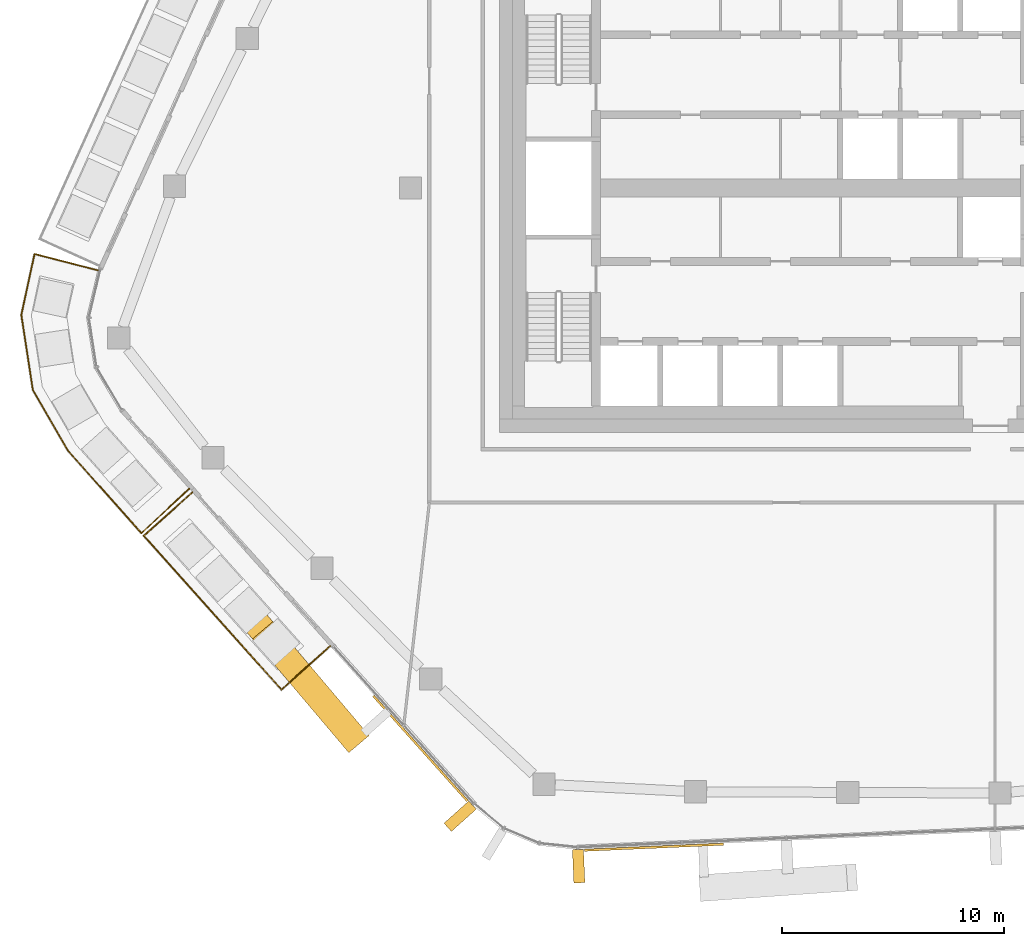
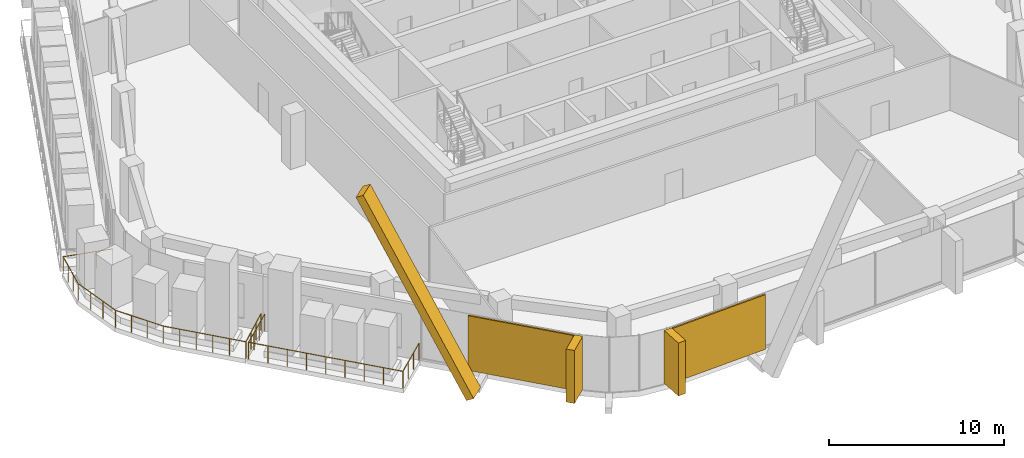
# One storey, part 17 of 23: 5 coverings, 2 railings, 2 elements without a shape of their own.
"""IFC4 building model written with IfcOpenShell, lengths in metres."""

from ifc_helpers import new_model, si_unit, direction, frame, origin, origin_2d, place, context, subcontext, project, spatial, rectangle, circle, extrude, material, layer, layer_set, material_profile, profile_set, type_object, element, aggregate, save


model = new_model("IFC4")

# Units and contexts
model_context = context("Model", 3, precision=1e-05, world=origin(), true_north=direction((0.0, 1.0)))
body_context = subcontext(model_context, "Body", "Model", "MODEL_VIEW")
ifc_project = project(units=[si_unit("LENGTHUNIT", "METRE"), si_unit("AREAUNIT", "SQUARE_METRE"), si_unit("VOLUMEUNIT", "CUBIC_METRE"), si_unit("PLANEANGLEUNIT", "RADIAN"), si_unit("MASSUNIT", "GRAM", prefix="KILO")], contexts=[model_context])

# Site, building, storey
site_placement = place(None, origin())
site = spatial("IfcSite", under=ifc_project, at=site_placement, CompositionType="ELEMENT")
building_placement = place(site_placement, origin())
building = spatial("IfcBuilding", under=site, at=building_placement, Name="Dongbaek Canopy Tower", CompositionType="ELEMENT")
storey_placement = place(building_placement, frame((0.0, 0.0, 327.800048828125)))
storey = spatial("IfcBuildingStorey", under=building, at=storey_placement, Name="L70", CompositionType="ELEMENT", Elevation=327.800048828125)

# Railings
ifc_material_1 = material(Name="Stainless steel", Category="steel")
railing_type = type_object("IfcRailingType", Name="Balcony balustrade 1200", PredefinedType="BALUSTRADE", material=ifc_material_1)
railing_1_placement = place(storey_placement, frame((-27.808349609375, -13.690673828125, 0.0)))
element("IfcRailing", 1, at=railing_1_placement, inside=storey, type_object=railing_type, Name="Balcony guard L70 3", PredefinedType="BALUSTRADE", context=body_context, shape_type="SweptSolid", body=[
    extrude(circle(Radius=0.02392578125, at=origin_2d()), frame((0.0, 0.0, 1.17578125), z_axis=(-0.745215250671, -0.666823987396, 0.0), x_axis=(0.666823987396, -0.745215250671, 0.0)), (0.0, 0.0, 1.0), 2.93994140625),
    extrude(circle(Radius=0.02392578125, at=origin_2d()), frame((-2.19091796875, -1.96044921875, 1.17578125), z_axis=(0.666887845842, -0.745158104745, 0.0), x_axis=(0.745158104745, 0.666887845842, 0.0)), (0.0, 0.0, 1.0), 9.285888671875),
    extrude(circle(Radius=0.02392578125, at=origin_2d()), frame((4.001708984375, -8.8798828125, 1.17578125), z_axis=(0.745178322448, 0.66686525457, 0.0), x_axis=(-0.66686525457, 0.745178322448, 0.0)), (0.0, 0.0, 1.0), 2.939697265625),
    extrude(circle(Radius=0.02099609375, at=origin_2d()), origin(), (0.0, 0.0, 1.0), 1.15185546875),
    extrude(circle(Radius=0.02099609375, at=origin_2d()), frame((-0.730224609375, -0.653564453125, 0.0)), (0.0, 0.0, 1.0), 1.15185546875),
    extrude(circle(Radius=0.02099609375, at=origin_2d()), frame((-1.460693359375, -1.306884765625, 0.0)), (0.0, 0.0, 1.0), 1.15185546875),
    extrude(circle(Radius=0.02099609375, at=origin_2d()), frame((-2.19091796875, -1.96044921875, 0.0)), (0.0, 0.0, 1.0), 1.15185546875),
    extrude(circle(Radius=0.02099609375, at=origin_2d()), frame((-1.416748046875, -2.825439453125, 0.0)), (0.0, 0.0, 1.0), 1.15185546875),
    extrude(circle(Radius=0.02099609375, at=origin_2d()), frame((-0.642822265625, -3.6904296875, 0.0)), (0.0, 0.0, 1.0), 1.15185546875),
    extrude(circle(Radius=0.02099609375, at=origin_2d()), frame((0.13134765625, -4.55517578125, 0.0)), (0.0, 0.0, 1.0), 1.15185546875),
    extrude(circle(Radius=0.02099609375, at=origin_2d()), frame((0.9052734375, -5.420166015625, 0.0)), (0.0, 0.0, 1.0), 1.15185546875),
    extrude(circle(Radius=0.02099609375, at=origin_2d()), frame((1.679443359375, -6.28515625, 0.0)), (0.0, 0.0, 1.0), 1.15185546875),
    extrude(circle(Radius=0.02099609375, at=origin_2d()), frame((2.45361328125, -7.14990234375, 0.0)), (0.0, 0.0, 1.0), 1.15185546875),
    extrude(circle(Radius=0.02099609375, at=origin_2d()), frame((3.2275390625, -8.014892578125, 0.0)), (0.0, 0.0, 1.0), 1.15185546875),
    extrude(circle(Radius=0.02099609375, at=origin_2d()), frame((4.001708984375, -8.8798828125, 0.0)), (0.0, 0.0, 1.0), 1.15185546875),
    extrude(circle(Radius=0.02099609375, at=origin_2d()), frame((4.73193359375, -8.226318359375, 0.0)), (0.0, 0.0, 1.0), 1.15185546875),
    extrude(circle(Radius=0.02099609375, at=origin_2d()), frame((5.462158203125, -7.572998046875, 0.0)), (0.0, 0.0, 1.0), 1.15185546875),
    extrude(circle(Radius=0.02099609375, at=origin_2d()), frame((6.1923828125, -6.91943359375, 0.0)), (0.0, 0.0, 1.0), 1.15185546875),
])
railing_2_placement = place(storey_placement, frame((-32.072509765625, -3.699951171875, 0.0)))
element("IfcRailing", 2, at=railing_2_placement, inside=storey, type_object=railing_type, Name="Balcony guard L70 6", PredefinedType="BALUSTRADE", context=body_context, shape_type="SweptSolid", body=[
    extrude(circle(Radius=0.02392578125, at=origin_2d()), frame((0.0, 0.0, 1.17578125), z_axis=(-0.968228057387, 0.250068848298, 0.0), x_axis=(-0.250068848298, -0.968228057387, 0.0)), (0.0, 0.0, 1.0), 2.940673828125),
    extrude(circle(Radius=0.02392578125, at=origin_2d()), frame((-2.84716796875, 0.7353515625, 1.17578125), z_axis=(-0.211422576538, -0.977394748364, 0.0), x_axis=(0.977394748364, -0.211422576538, 0.0)), (0.0, 0.0, 1.0), 2.808349609375),
    extrude(circle(Radius=0.02392578125, at=origin_2d()), frame((-3.44091796875, -2.009521484375, 1.17578125), z_axis=(0.152046456117, -0.988373348074, 0.0), x_axis=(0.988373348074, 0.152046456117, 0.0)), (0.0, 0.0, 1.0), 3.420166015625),
    extrude(circle(Radius=0.02392578125, at=origin_2d()), frame((-2.9208984375, -5.389892578125, 1.17578125), z_axis=(0.500895295026, -0.865507887556, 0.0), x_axis=(0.865507887556, 0.500895295026, 0.0)), (0.0, 0.0, 1.0), 3.140380859375),
    extrude(circle(Radius=0.02392578125, at=origin_2d()), frame((-1.347900390625, -8.10791015625, 1.17578125), z_axis=(0.664825724778, -0.746998497772, 0.0), x_axis=(0.746998497772, 0.664825724778, 0.0)), (0.0, 0.0, 1.0), 4.9853515625),
    extrude(circle(Radius=0.02392578125, at=origin_2d()), frame((1.966552734375, -11.83203125, 1.17578125), z_axis=(0.731414069782, 0.681933617388, 0.0), x_axis=(-0.681933617388, 0.731414069782, 0.0)), (0.0, 0.0, 1.0), 2.940673828125),
    extrude(circle(Radius=0.02099609375, at=origin_2d()), origin(), (0.0, 0.0, 1.0), 1.15185546875),
    extrude(circle(Radius=0.02099609375, at=origin_2d()), frame((-0.948974609375, 0.2451171875, 0.0)), (0.0, 0.0, 1.0), 1.15185546875),
    extrude(circle(Radius=0.02099609375, at=origin_2d()), frame((-1.898193359375, 0.490234375, 0.0)), (0.0, 0.0, 1.0), 1.15185546875),
    extrude(circle(Radius=0.02099609375, at=origin_2d()), frame((-2.84716796875, 0.7353515625, 0.0)), (0.0, 0.0, 1.0), 1.15185546875),
    extrude(circle(Radius=0.02099609375, at=origin_2d()), frame((-3.045166015625, -0.1796875, 0.0)), (0.0, 0.0, 1.0), 1.15185546875),
    extrude(circle(Radius=0.02099609375, at=origin_2d()), frame((-3.242919921875, -1.094482421875, 0.0)), (0.0, 0.0, 1.0), 1.15185546875),
    extrude(circle(Radius=0.02099609375, at=origin_2d()), frame((-3.44091796875, -2.009521484375, 0.0)), (0.0, 0.0, 1.0), 1.15185546875),
    extrude(circle(Radius=0.02099609375, at=origin_2d()), frame((-3.267578125, -3.13623046875, 0.0)), (0.0, 0.0, 1.0), 1.15185546875),
    extrude(circle(Radius=0.02099609375, at=origin_2d()), frame((-3.09423828125, -4.26318359375, 0.0)), (0.0, 0.0, 1.0), 1.15185546875),
    extrude(circle(Radius=0.02099609375, at=origin_2d()), frame((-2.9208984375, -5.389892578125, 0.0)), (0.0, 0.0, 1.0), 1.15185546875),
    extrude(circle(Radius=0.02099609375, at=origin_2d()), frame((-2.396484375, -6.2958984375, 0.0)), (0.0, 0.0, 1.0), 1.15185546875),
    extrude(circle(Radius=0.02099609375, at=origin_2d()), frame((-1.872314453125, -7.201904296875, 0.0)), (0.0, 0.0, 1.0), 1.15185546875),
    extrude(circle(Radius=0.02099609375, at=origin_2d()), frame((-1.347900390625, -8.10791015625, 0.0)), (0.0, 0.0, 1.0), 1.15185546875),
    extrude(circle(Radius=0.02099609375, at=origin_2d()), frame((-0.68505859375, -8.852783203125, 0.0)), (0.0, 0.0, 1.0), 1.15185546875),
    extrude(circle(Radius=0.02099609375, at=origin_2d()), frame((-0.022216796875, -9.59765625, 0.0)), (0.0, 0.0, 1.0), 1.15185546875),
    extrude(circle(Radius=0.02099609375, at=origin_2d()), frame((0.640869140625, -10.34228515625, 0.0)), (0.0, 0.0, 1.0), 1.15185546875),
    extrude(circle(Radius=0.02099609375, at=origin_2d()), frame((1.3037109375, -11.087158203125, 0.0)), (0.0, 0.0, 1.0), 1.15185546875),
    extrude(circle(Radius=0.02099609375, at=origin_2d()), frame((1.966552734375, -11.83203125, 0.0)), (0.0, 0.0, 1.0), 1.15185546875),
    extrude(circle(Radius=0.02099609375, at=origin_2d()), frame((2.68359375, -11.16357421875, 0.0)), (0.0, 0.0, 1.0), 1.15185546875),
    extrude(circle(Radius=0.02099609375, at=origin_2d()), frame((3.400390625, -10.4951171875, 0.0)), (0.0, 0.0, 1.0), 1.15185546875),
    extrude(circle(Radius=0.02099609375, at=origin_2d()), frame((4.117431640625, -9.82666015625, 0.0)), (0.0, 0.0, 1.0), 1.15185546875),
])

# Curtain wall, coverings
ifc_material_2 = material(Name="Aluminium 6063-T6 pale anodised", Category="aluminium")
ifc_layer_1 = layer(ifc_material_2, 0.199951171875)
ifc_layer_set_1 = layer_set([ifc_layer_1], Name="CW-1 unitised tower curtain wall")
curtain_wall_type = type_object("IfcCurtainWallType", Name="CW-1 unitised tower curtain wall", PredefinedType="NOTDEFINED", material=ifc_layer_set_1)
curtain_wall_1_placement = place(storey_placement, origin())
curtain_wall_1 = element("IfcCurtainWall", 3, at=curtain_wall_1_placement, inside=storey, type_object=curtain_wall_type, Name="CW-1 curtain wall F3.1", PredefinedType="NOTDEFINED")
ifc_material_3 = material(Name="Aluminium 6063-T6 pale metal fin", Category="aluminium")
ifc_material_profile_1 = material_profile(ifc_material_3, rectangle(XDim=1.199951171875, YDim=0.5, at=origin_2d()), Name="Crease fin CF1 500 x 1200 pale metal")
ifc_profile_set_1 = profile_set([ifc_material_profile_1], Name="Aluminium 6063-T6 pale metal fin")
covering_type_1 = type_object("IfcCoveringType", Name="Crease fin CF1 500 x 1200 pale metal", PredefinedType="CLADDING", material=ifc_profile_set_1)
covering_1_placement = place(storey_placement, frame((-20.460205078125, -24.85546875, -0.18994140625), z_axis=(-0.303579501359, 0.35878821293, 0.882672365387), x_axis=(-0.763397327855, -0.64592919103, 0.0)))
covering_1 = element("IfcCovering", 4, at=covering_1_placement, type_object=covering_type_1, Name="Crease fin L70 L73 F3", PredefinedType="CLADDING", context=body_context, shape_type="SweptSolid", body=[
    extrude(rectangle(XDim=1.199951171875, YDim=0.5, at=origin_2d()), origin(), (0.0, 0.0, 1.0), 14.274658203125),
])
ifc_material_4 = material(Name="Perforated aluminium 6063-T6 pale metal screen", Category="aluminium")
ifc_layer_2 = layer(ifc_material_4, 0.10009765625)
ifc_layer_set_2 = layer_set([ifc_layer_2], Name="Facet screen FS1 100 pale metal")
covering_type_2 = type_object("IfcCoveringType", Name="Facet screen FS1 100 pale metal", PredefinedType="CLADDING", material=ifc_layer_set_2)
covering_2_placement = place(storey_placement, frame((-17.552490234375, -25.219482421875, 0.0), z_axis=(0.0, 0.0, 1.0), x_axis=(0.666879791851, -0.74516531268, 0.0)))
covering_2 = element("IfcCovering", 5, at=covering_2_placement, type_object=covering_type_2, Name="Facet screen L70 F3", PredefinedType="CLADDING", context=body_context, shape_type="SweptSolid", body=[
    extrude(rectangle(XDim=6.347900390625, YDim=0.10009765625, at=origin_2d()), origin(), (0.0, 0.0, 1.0), 3.820068359375),
])

# Curtain wall, covering
curtain_wall_2_placement = place(storey_placement, origin())
curtain_wall_2 = element("IfcCurtainWall", 6, at=curtain_wall_2_placement, inside=storey, type_object=curtain_wall_type, Name="CW-1 curtain wall F4.1", PredefinedType="NOTDEFINED")
covering_3_placement = place(storey_placement, frame((-7.039306640625, -29.664794921875, 0.0), z_axis=(0.0, 0.0, 1.0), x_axis=(0.999050275988, 0.043572308279, 0.0)))
covering_3 = element("IfcCovering", 7, at=covering_3_placement, type_object=covering_type_2, Name="Facet screen L70 F4", PredefinedType="CLADDING", context=body_context, shape_type="SweptSolid", body=[
    extrude(rectangle(XDim=6.270751953125, YDim=0.10009765625, at=origin_2d()), origin(), (0.0, 0.0, 1.0), 3.820068359375),
])

# Covering
ifc_material_5 = material(Name="Aluminium 6063-T6 pale metal fin", Category="aluminium")
ifc_material_profile_2 = material_profile(ifc_material_5, rectangle(XDim=1.5, YDim=0.5, at=origin_2d()), Name="Fin FN1 500 x 1500 pale metal")
ifc_profile_set_2 = profile_set([ifc_material_profile_2], Name="Aluminium 6063-T6 pale metal fin")
covering_type_3 = type_object("IfcCoveringType", Name="Fin FN1 500 x 1500 pale metal", PredefinedType="CLADDING", material=ifc_profile_set_2)
covering_4_placement = place(storey_placement, frame((-15.76708984375, -28.27001953125, 0.119873046875), z_axis=(0.0, 0.0, 1.0), x_axis=(-0.745164960814, -0.666880185022, 0.0)))
covering_4 = element("IfcCovering", 8, at=covering_4_placement, type_object=covering_type_3, Name="Fin F3.1.3", PredefinedType="CLADDING", context=body_context, shape_type="SweptSolid", body=[
    extrude(rectangle(XDim=1.5, YDim=0.5, at=origin_2d()), origin(), (0.0, 0.0, 1.0), 3.7001953125),
])

aggregate(curtain_wall_1, [covering_4, covering_1, covering_2])

covering_5_placement = place(storey_placement, frame((-10.430908203125, -30.517333984375, 0.119873046875), z_axis=(0.0, 0.0, 1.0), x_axis=(0.04357165489, -0.999050304484, 0.0)))
covering_5 = element("IfcCovering", 9, at=covering_5_placement, type_object=covering_type_3, Name="Fin F4.1.1", PredefinedType="CLADDING", context=body_context, shape_type="SweptSolid", body=[
    extrude(rectangle(XDim=1.5, YDim=0.5, at=origin_2d()), origin(), (0.0, 0.0, 1.0), 3.7001953125),
])

aggregate(curtain_wall_2, [covering_5, covering_3])

save(model, "model.ifc")
